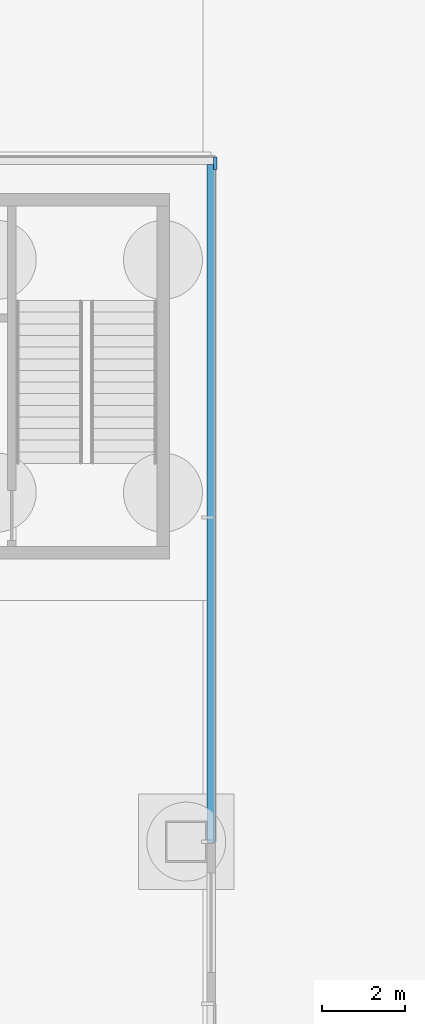
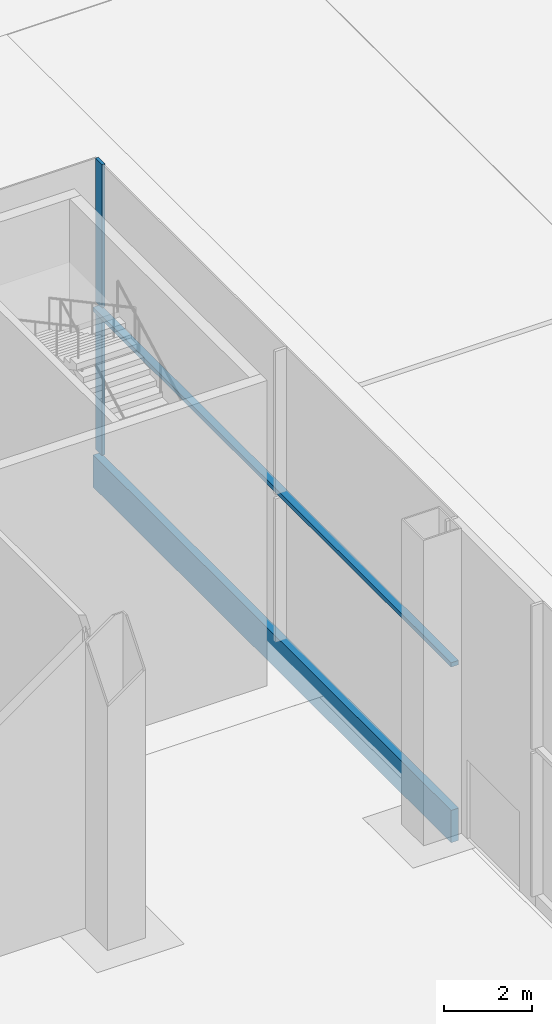
# One storey, part 29 of 113: 4 members, 2 elements without a shape of their own.
"""IFC4 building model written with IfcOpenShell, lengths in metres."""

from ifc_helpers import new_model, si_unit, direction, frame, origin, origin_2d, place, context, subcontext, project, spatial, rectangle, extrude, material, layer, layer_set, material_profile, profile_set, type_object, element, aggregate, save


model = new_model("IFC4")

# Units and contexts
model_context = context("Model", 3, precision=1e-05, world=origin(), true_north=direction((0.0, 1.0)))
body_context = subcontext(model_context, "Body", "Model", "MODEL_VIEW")
ifc_project = project(units=[si_unit("LENGTHUNIT", "METRE"), si_unit("AREAUNIT", "SQUARE_METRE"), si_unit("VOLUMEUNIT", "CUBIC_METRE"), si_unit("PLANEANGLEUNIT", "RADIAN"), si_unit("MASSUNIT", "GRAM", prefix="KILO")], contexts=[model_context])

# Site, building, storey
site_placement = place(None, origin())
site = spatial("IfcSite", under=ifc_project, at=site_placement, CompositionType="ELEMENT")
building_placement = place(site_placement, origin())
building = spatial("IfcBuilding", under=site, at=building_placement, Name="Hakoniwa Tower and Hamabe Station Hall", CompositionType="ELEMENT")
storey_placement = place(building_placement, origin())
storey = spatial("IfcBuildingStorey", under=building, at=storey_placement, Name="L01", CompositionType="ELEMENT", Elevation=0.0)

# Curtain wall, members
ifc_material_1 = material(Name="Dark low-e laminated glass", Category="glass")
ifc_layer = layer(ifc_material_1, 0.199951171875)
ifc_layer_set = layer_set([ifc_layer], Name="CW-7 STATION")
curtain_wall_type = type_object("IfcCurtainWallType", Name="CW-7 STATION", PredefinedType="NOTDEFINED", material=ifc_layer_set)
curtain_wall_1_placement = place(storey_placement, origin())
curtain_wall_1 = element("IfcCurtainWall", 1, at=curtain_wall_1_placement, inside=storey, type_object=curtain_wall_type, Name="Station curtain wall L01 east", PredefinedType="NOTDEFINED")
ifc_material_2 = material(Name="Aluminium 6063-T5 black anodised", Category="aluminium")
ifc_material_profile_1 = material_profile(ifc_material_2, rectangle(XDim=0.199951171875, YDim=0.1201171875, at=origin_2d()), Name="CW MID TRANSOM 120X200")
ifc_profile_set_1 = profile_set([ifc_material_profile_1], Name="Aluminium 6063-T5 black anodised")
member_type_1 = type_object("IfcMemberType", Name="CW MID TRANSOM 120X200", PredefinedType="USERDEFINED", material=ifc_profile_set_1)
member_1_placement = place(storey_placement, frame((169.75, 7.77001953125, 4.39990234375), z_axis=(0.0, 1.0, 0.0), x_axis=(-1.0, 0.0, 0.0)))
member_1 = element("IfcMember", 2, at=member_1_placement, type_object=member_type_1, Name="CW-7 transom", ObjectType="TRANSOM", PredefinedType="USERDEFINED", context=body_context, shape_type="SweptSolid", body=[
    extrude(rectangle(XDim=0.199951171875, YDim=0.1201171875, at=origin_2d()), origin(), (0.0, 0.0, 1.0), 16.330078125),
])
ifc_material_3 = material(Name="Aluminium 6063-T5 black anodised", Category="aluminium")
ifc_material_profile_2 = material_profile(ifc_material_3, rectangle(XDim=0.199951171875, YDim=0.89990234375, at=origin_2d()), Name="CW SLAB-EDGE BAND 900X200")
ifc_profile_set_2 = profile_set([ifc_material_profile_2], Name="Aluminium 6063-T5 black anodised")
member_type_2 = type_object("IfcMemberType", Name="CW SLAB-EDGE BAND 900X200", PredefinedType="USERDEFINED", material=ifc_profile_set_2)
member_2_placement = place(storey_placement, frame((169.75, 7.77001953125, -0.10009765625), z_axis=(0.0, 1.0, 0.0), x_axis=(-1.0, 0.0, 0.0)))
member_2 = element("IfcMember", 3, at=member_2_placement, type_object=member_type_2, Name="CW-7 transom", ObjectType="TRANSOM", PredefinedType="USERDEFINED", context=body_context, shape_type="SweptSolid", body=[
    extrude(rectangle(XDim=0.199951171875, YDim=0.89990234375, at=origin_2d()), origin(), (0.0, 0.0, 1.0), 16.330078125),
])
aggregate(curtain_wall_1, [member_2, member_1])

curtain_wall_2_placement = place(storey_placement, origin())
curtain_wall_2 = element("IfcCurtainWall", 4, at=curtain_wall_2_placement, inside=storey, type_object=curtain_wall_type, Name="Station curtain wall L01 north", PredefinedType="NOTDEFINED")
ifc_material_4 = material(Name="Aluminium 6063-T5 black anodised", Category="aluminium")
ifc_material_profile_3 = material_profile(ifc_material_4, rectangle(XDim=0.080078125, YDim=0.300048828125, at=origin_2d()), Name="CW-3 MULLION 80X300")
ifc_profile_set_3 = profile_set([ifc_material_profile_3], Name="Aluminium 6063-T5 black anodised")
member_type_3 = type_object("IfcMemberType", Name="CW-3 MULLION 80X300", PredefinedType="MULLION", material=ifc_profile_set_3)
member_3_placement = place(storey_placement, frame((169.85009765625, 24.1220703125, 0.35009765625), z_axis=(0.0, 0.0, 1.0), x_axis=(-1.0, 0.0, 0.0)))
member_3 = element("IfcMember", 5, at=member_3_placement, type_object=member_type_3, Name="CW-7 mullion", PredefinedType="MULLION", context=body_context, shape_type="SweptSolid", body=[
    extrude(rectangle(XDim=0.080078125, YDim=0.300048828125, at=origin_2d()), origin(), (0.0, 0.0, 1.0), 3.989990234375),
])
member_4_placement = place(storey_placement, frame((169.85009765625, 24.1220703125, 4.4599609375), z_axis=(0.0, 0.0, 1.0), x_axis=(-1.0, 0.0, 0.0)))
member_4 = element("IfcMember", 6, at=member_4_placement, type_object=member_type_3, Name="CW-7 mullion", PredefinedType="MULLION", context=body_context, shape_type="SweptSolid", body=[
    extrude(rectangle(XDim=0.080078125, YDim=0.300048828125, at=origin_2d()), origin(), (0.0, 0.0, 1.0), 3.989990234375),
])
aggregate(curtain_wall_2, [member_3, member_4])

save(model, "model.ifc")
